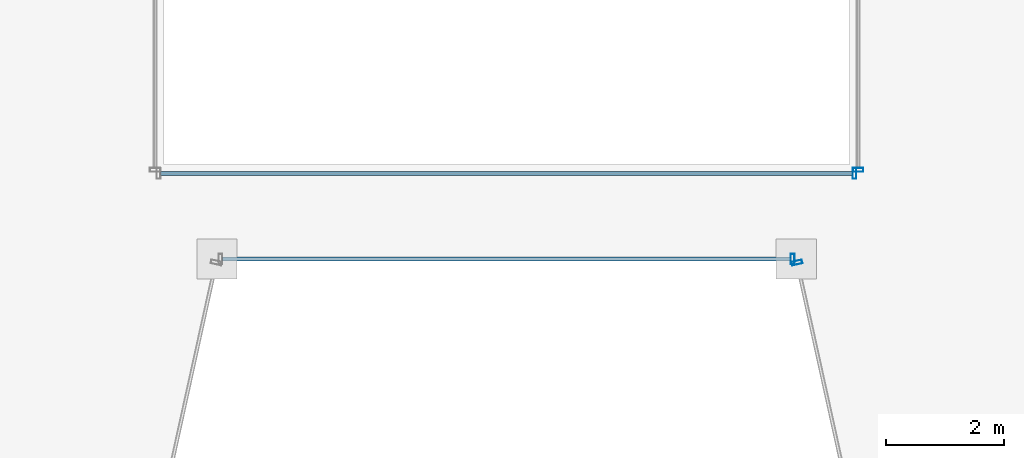
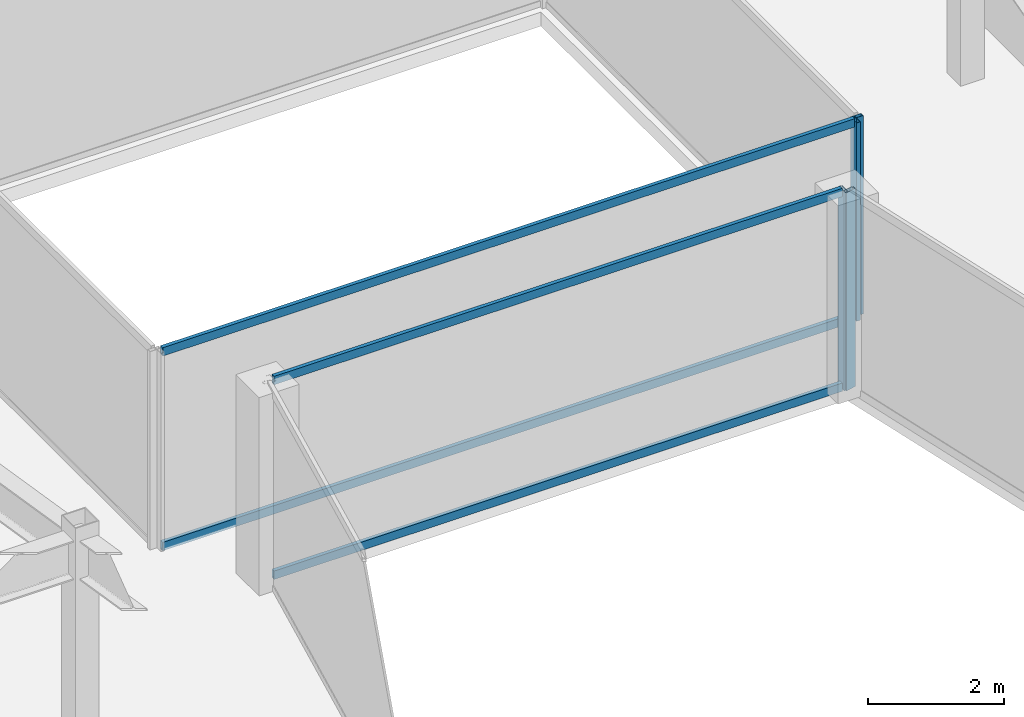
# One storey, part 8 of 36: 8 members, 4 elements without a shape of their own.
"""IFC4 building model written with IfcOpenShell, lengths in metres."""

from ifc_helpers import new_model, si_unit, direction, frame, origin, origin_2d, place, context, subcontext, project, spatial, hollow_rectangle, extrude, material, material_profile, profile_set, type_object, element, aggregate, save


model = new_model("IFC4")

# Units and contexts
model_context = context("Model", 3, precision=1e-05, world=origin(), true_north=direction((0.0, 1.0)))
body_context = subcontext(model_context, "Body", "Model", "MODEL_VIEW")
ifc_project = project(units=[si_unit("LENGTHUNIT", "METRE"), si_unit("AREAUNIT", "SQUARE_METRE"), si_unit("VOLUMEUNIT", "CUBIC_METRE"), si_unit("PLANEANGLEUNIT", "RADIAN"), si_unit("MASSUNIT", "GRAM", prefix="KILO")], contexts=[model_context])

# Site, building, storey
site_placement = place(None, origin())
site = spatial("IfcSite", under=ifc_project, at=site_placement, CompositionType="ELEMENT")
building_placement = place(site_placement, origin())
building = spatial("IfcBuilding", under=site, at=building_placement, Name="Saevonmaru Cultural Tower", CompositionType="ELEMENT")
storey_placement = place(building_placement, frame((0.0, 0.0, 205.60009765625)))
storey = spatial("IfcBuildingStorey", under=building, at=storey_placement, Name="L47", CompositionType="ELEMENT", Elevation=205.60009765625)

# Curtain wall, member
ifc_material = material(Name="Satin Bronze Anodised Aluminium", Category="aluminium")
curtain_wall_type_1 = type_object("IfcCurtainWallType", Name="CW-TYP-B", PredefinedType="NOTDEFINED", material=ifc_material)
curtain_wall_1_placement = place(storey_placement, origin())
curtain_wall_1 = element("IfcCurtainWall", 1, at=curtain_wall_1_placement, inside=storey, type_object=curtain_wall_type_1, Name="L47 Unitised Curtain Wall E4", PredefinedType="NOTDEFINED")
ifc_material_profile_1 = material_profile(ifc_material, hollow_rectangle(XDim=0.06494140625, YDim=0.179931640625, WallThickness=0.00390625, at=origin_2d()), Name="ALU-MULL-180x65x4")
ifc_profile_set_1 = profile_set([ifc_material_profile_1], Name="Satin Bronze Anodised Aluminium")
member_type_1 = type_object("IfcMemberType", Name="ML-CW-180x65", PredefinedType="MULLION", material=ifc_profile_set_1)
member_1_placement = place(storey_placement, frame((34.84228515625, 26.0, 0.0), z_axis=(0.0, 0.0, 1.0), x_axis=(1.0, 0.0, 0.0)))
member_1 = element("IfcMember", 2, at=member_1_placement, type_object=member_type_1, Name="CW-TW-L47-E4 mullion 2", PredefinedType="MULLION", context=body_context, shape_type="SweptSolid", body=[
    extrude(hollow_rectangle(XDim=0.06494140625, YDim=0.179931640625, WallThickness=0.00390625, at=origin_2d()), origin(), (0.0, 0.0, 1.0), 3.5498046875),
])

curtain_wall_2_placement = place(storey_placement, origin())
curtain_wall_2 = element("IfcCurtainWall", 3, at=curtain_wall_2_placement, inside=storey, type_object=curtain_wall_type_1, Name="L47 Unitised Curtain Wall E5", PredefinedType="NOTDEFINED")
member_2_placement = place(storey_placement, frame((34.9150390625, 25.94140625, 0.0), z_axis=(0.0, 0.0, 1.0), x_axis=(0.215413319953, -0.976522965212, 0.0)))
member_2 = element("IfcMember", 4, at=member_2_placement, type_object=member_type_1, Name="CW-TW-L47-E5 mullion 1", PredefinedType="MULLION", context=body_context, shape_type="SweptSolid", body=[
    extrude(hollow_rectangle(XDim=0.06494140625, YDim=0.179931640625, WallThickness=0.00390625, at=origin_2d()), origin(), (0.0, 0.0, 1.0), 3.5498046875),
])
aggregate(curtain_wall_2, [member_2])

curtain_wall_type_2 = type_object("IfcCurtainWallType", Name="CW-ATR-GLZ", PredefinedType="NOTDEFINED", material=ifc_material)
curtain_wall_3_placement = place(storey_placement, origin())
curtain_wall_3 = element("IfcCurtainWall", 5, at=curtain_wall_3_placement, inside=storey, type_object=curtain_wall_type_2, Name="L47 Vertical Atrium Glazed Smoke Screen 1", PredefinedType="NOTDEFINED")
ifc_material_profile_2 = material_profile(ifc_material, hollow_rectangle(XDim=0.06494140625, YDim=0.179931640625, WallThickness=0.00390625, at=origin_2d()), Name="ALU-MULL-180x65x4")
ifc_profile_set_2 = profile_set([ifc_material_profile_2], Name="Satin Bronze Anodised Aluminium")
member_type_2 = type_object("IfcMemberType", Name="ML-CW-INT-180x65", PredefinedType="MULLION", material=ifc_profile_set_2)
member_3_placement = place(storey_placement, frame((35.889892578125, 27.449951171875, 0.0), z_axis=(0.0, 0.0, 1.0), x_axis=(1.0, 0.0, 0.0)))
member_3 = element("IfcMember", 6, at=member_3_placement, type_object=member_type_2, Name="CW-ATR-L47-1 mullion 2", PredefinedType="MULLION", context=body_context, shape_type="SweptSolid", body=[
    extrude(hollow_rectangle(XDim=0.06494140625, YDim=0.179931640625, WallThickness=0.00390625, at=origin_2d()), origin(), (0.0, 0.0, 1.0), 3.5498046875),
])

curtain_wall_4_placement = place(storey_placement, origin())
curtain_wall_4 = element("IfcCurtainWall", 7, at=curtain_wall_4_placement, inside=storey, type_object=curtain_wall_type_2, Name="L47 Vertical Atrium Glazed Smoke Screen 2", PredefinedType="NOTDEFINED")
member_4_placement = place(storey_placement, frame((35.949951171875, 27.510009765625, 0.0), z_axis=(0.0, 0.0, 1.0), x_axis=(0.0, 1.0, 0.0)))
member_4 = element("IfcMember", 8, at=member_4_placement, type_object=member_type_2, Name="CW-ATR-L47-2 mullion 1", PredefinedType="MULLION", context=body_context, shape_type="SweptSolid", body=[
    extrude(hollow_rectangle(XDim=0.06494140625, YDim=0.179931640625, WallThickness=0.00390625, at=origin_2d()), origin(), (0.0, 0.0, 1.0), 3.5498046875),
])
aggregate(curtain_wall_4, [member_4])

# Member
ifc_material_profile_3 = material_profile(ifc_material, hollow_rectangle(XDim=0.06494140625, YDim=0.14990234375, WallThickness=0.00390625, at=origin_2d()), Name="ALU-TRAN-150x65x4")
ifc_profile_set_3 = profile_set([ifc_material_profile_3], Name="Satin Bronze Anodised Aluminium")
member_type_3 = type_object("IfcMemberType", Name="TR-CW-150x65", PredefinedType="USERDEFINED", material=ifc_profile_set_3)
member_5_placement = place(storey_placement, frame((25.190185546875, 26.0, 0.032470703125), z_axis=(1.0, 0.0, 0.0), x_axis=(0.0, 1.0, 0.0)))
member_5 = element("IfcMember", 9, at=member_5_placement, type_object=member_type_3, Name="CW-TW-L47-E4 transom 1.1", ObjectType="TRANSOM", PredefinedType="USERDEFINED", context=body_context, shape_type="SweptSolid", body=[
    extrude(hollow_rectangle(XDim=0.06494140625, YDim=0.14990234375, WallThickness=0.00390625, at=origin_2d()), origin(), (0.0, 0.0, 1.0), 9.61962890625),
])

member_6_placement = place(storey_placement, frame((25.190185546875, 26.0, 3.517333984375), z_axis=(1.0, 0.0, 0.0), x_axis=(0.0, 1.0, 0.0)))
member_6 = element("IfcMember", 10, at=member_6_placement, type_object=member_type_3, Name="CW-TW-L47-E4 transom 1.2", ObjectType="TRANSOM", PredefinedType="USERDEFINED", context=body_context, shape_type="SweptSolid", body=[
    extrude(hollow_rectangle(XDim=0.06494140625, YDim=0.14990234375, WallThickness=0.00390625, at=origin_2d()), origin(), (0.0, 0.0, 1.0), 9.61962890625),
])

aggregate(curtain_wall_1, [member_1, member_5, member_6])

ifc_material_profile_4 = material_profile(ifc_material, hollow_rectangle(XDim=0.06494140625, YDim=0.14990234375, WallThickness=0.00390625, at=origin_2d()), Name="ALU-TRAN-150x65x4")
ifc_profile_set_4 = profile_set([ifc_material_profile_4], Name="Satin Bronze Anodised Aluminium")
member_type_4 = type_object("IfcMemberType", Name="TR-CW-INT-150x65", PredefinedType="USERDEFINED", material=ifc_profile_set_4)
member_7_placement = place(storey_placement, frame((24.142578125, 27.449951171875, 0.032470703125), z_axis=(1.0, 0.0, 0.0), x_axis=(0.0, 1.0, 0.0)))
member_7 = element("IfcMember", 11, at=member_7_placement, type_object=member_type_4, Name="CW-ATR-L47-1 transom 1.1", ObjectType="TRANSOM", PredefinedType="USERDEFINED", context=body_context, shape_type="SweptSolid", body=[
    extrude(hollow_rectangle(XDim=0.06494140625, YDim=0.14990234375, WallThickness=0.00390625, at=origin_2d()), origin(), (0.0, 0.0, 1.0), 11.71484375),
])

member_8_placement = place(storey_placement, frame((24.142578125, 27.449951171875, 3.517333984375), z_axis=(1.0, 0.0, 0.0), x_axis=(0.0, 1.0, 0.0)))
member_8 = element("IfcMember", 12, at=member_8_placement, type_object=member_type_4, Name="CW-ATR-L47-1 transom 1.2", ObjectType="TRANSOM", PredefinedType="USERDEFINED", context=body_context, shape_type="SweptSolid", body=[
    extrude(hollow_rectangle(XDim=0.06494140625, YDim=0.14990234375, WallThickness=0.00390625, at=origin_2d()), origin(), (0.0, 0.0, 1.0), 11.71484375),
])

aggregate(curtain_wall_3, [member_3, member_7, member_8])

save(model, "model.ifc")
